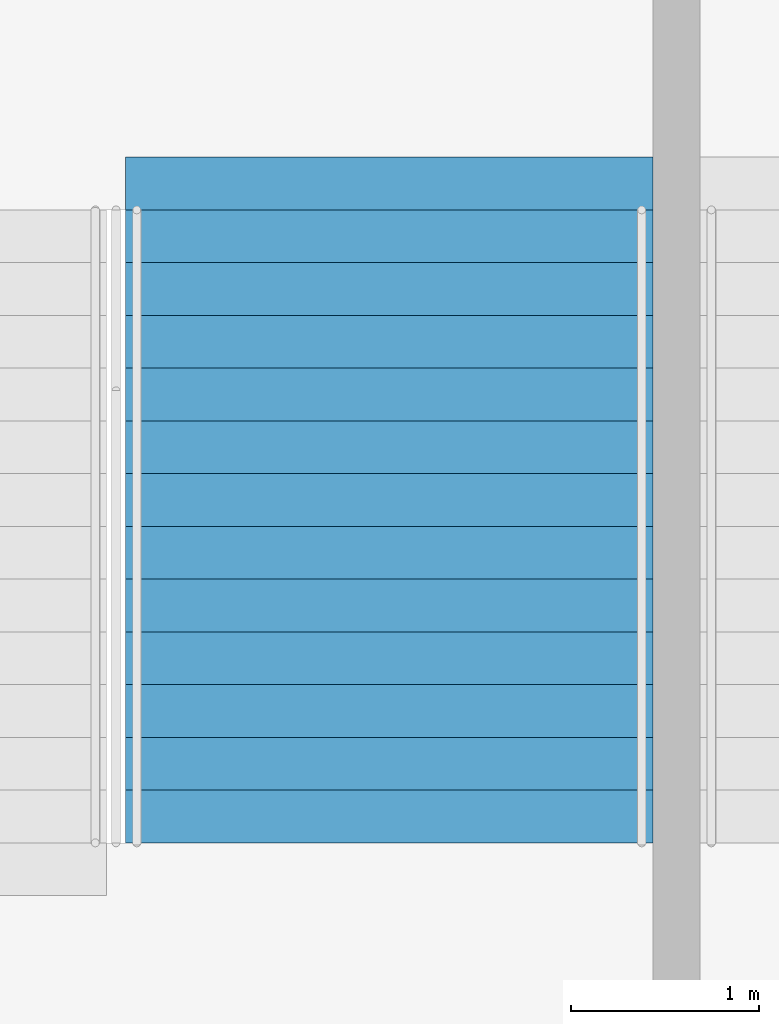
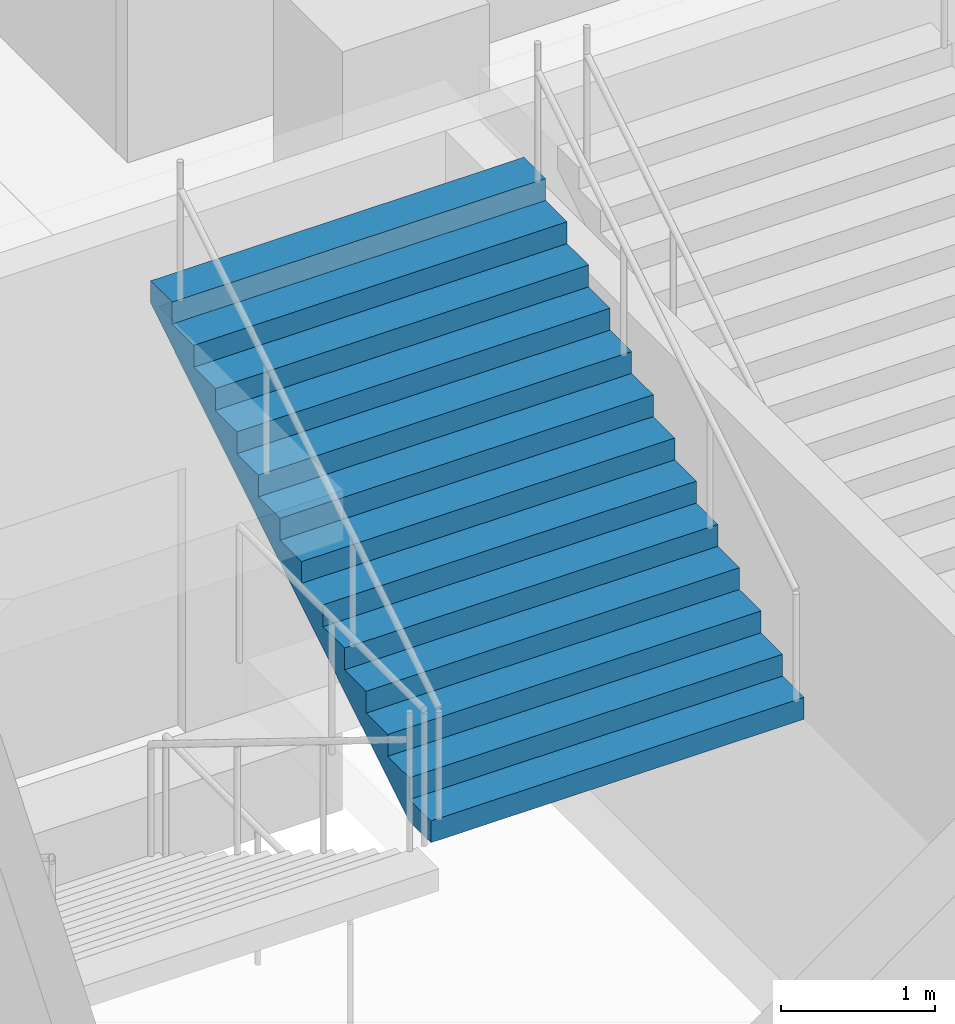
# One storey, part 109 of 199: 1 stair flight, 1 element without a shape of its own.
"""IFC4 building model written with IfcOpenShell, lengths in metres."""

from ifc_helpers import new_model, si_unit, direction, frame, origin, place, context, subcontext, project, spatial, faceted_brep, material, type_object, element, aggregate, save


model = new_model("IFC4")

# Units and contexts
model_context = context("Model", 3, precision=1e-05, world=origin(), true_north=direction((0.0, 1.0)))
body_context = subcontext(model_context, "Body", "Model", "MODEL_VIEW")
ifc_project = project(units=[si_unit("LENGTHUNIT", "METRE"), si_unit("AREAUNIT", "SQUARE_METRE"), si_unit("VOLUMEUNIT", "CUBIC_METRE"), si_unit("PLANEANGLEUNIT", "RADIAN"), si_unit("MASSUNIT", "GRAM", prefix="KILO")], contexts=[model_context])

# Site, building, storey
site_placement = place(None, origin())
site = spatial("IfcSite", under=ifc_project, at=site_placement, CompositionType="ELEMENT")
building_placement = place(site_placement, origin())
building = spatial("IfcBuilding", under=site, at=building_placement, Name="Ogive Plaza Stadium", CompositionType="ELEMENT")
storey_placement = place(building_placement, frame((0.0, 0.0, 9.0)))
storey = spatial("IfcBuildingStorey", under=building, at=storey_placement, Name="L02", CompositionType="ELEMENT", Elevation=9.0)

# Stair, stair flight
ifc_material_1 = material(Name="Concrete C40/50", Category="concrete")
stair_type = type_object("IfcStairType", Name="Exit stair", PredefinedType="STRAIGHT_RUN_STAIR", material=ifc_material_1)
stair_placement = place(storey_placement, origin())
stair = element("IfcStair", 1, at=stair_placement, inside=storey, type_object=stair_type, Name="Exit stair ST16A L02 to L03", PredefinedType="STRAIGHT_RUN_STAIR")
ifc_material_2 = material(Name="Concrete C40/50", Category="concrete")
stair_flight_type = type_object("IfcStairFlightType", Name="Exit stair flight", PredefinedType="STRAIGHT", material=ifc_material_2)
stair_flight_placement = place(storey_placement, frame((-21.925048828125, -98.2099609375, 2.25), z_axis=(0.0, 0.0, 1.0), x_axis=(0.0, 1.0, 0.0)))
stair_flight = element("IfcStairFlight", 2, at=stair_flight_placement, type_object=stair_flight_type, Name="ST16A flight 2", NumberOfRisers=13, NumberOfTreads=12, PredefinedType="STRAIGHT", RiserHeight=0.173076923, TreadLength=0.28, context=body_context, shape_type="Brep", body=[
    faceted_brep([(0.28515625, -1.39990234375, 0.0), (3.639892578125, -1.39990234375, 2.07373046875), (3.639892578125, -1.39990234375, 2.25), (3.360107421875, -1.39990234375, 2.25), (3.360107421875, -1.39990234375, 2.076904296875), (3.080078125, -1.39990234375, 2.076904296875), (3.080078125, -1.39990234375, 1.90380859375), (2.800048828125, -1.39990234375, 1.90380859375), (2.800048828125, -1.39990234375, 1.730712890625), (2.52001953125, -1.39990234375, 1.730712890625), (2.52001953125, -1.39990234375, 1.5576171875), (2.239990234375, -1.39990234375, 1.5576171875), (2.239990234375, -1.39990234375, 1.384521484375), (1.9599609375, -1.39990234375, 1.384521484375), (1.9599609375, -1.39990234375, 1.21142578125), (1.679931640625, -1.39990234375, 1.21142578125), (1.679931640625, -1.39990234375, 1.03857421875), (1.39990234375, -1.39990234375, 1.03857421875), (1.39990234375, -1.39990234375, 0.865478515625), (1.1201171875, -1.39990234375, 0.865478515625), (1.1201171875, -1.39990234375, 0.6923828125), (0.840087890625, -1.39990234375, 0.6923828125), (0.840087890625, -1.39990234375, 0.519287109375), (0.56005859375, -1.39990234375, 0.519287109375), (0.56005859375, -1.39990234375, 0.34619140625), (0.280029296875, -1.39990234375, 0.34619140625), (0.280029296875, -1.39990234375, 0.173095703125), (0.0, -1.39990234375, 0.173095703125), (0.0, -1.39990234375, 0.0), (0.0, 1.39990234375, 0.0), (0.0, 1.39990234375, 0.173095703125), (0.280029296875, 1.39990234375, 0.173095703125), (0.280029296875, 1.39990234375, 0.34619140625), (0.56005859375, 1.39990234375, 0.34619140625), (0.56005859375, 1.39990234375, 0.519287109375), (0.840087890625, 1.39990234375, 0.519287109375), (0.840087890625, 1.39990234375, 0.6923828125), (1.1201171875, 1.39990234375, 0.6923828125), (1.1201171875, 1.39990234375, 0.865478515625), (1.39990234375, 1.39990234375, 0.865478515625), (1.39990234375, 1.39990234375, 1.03857421875), (1.679931640625, 1.39990234375, 1.03857421875), (1.679931640625, 1.39990234375, 1.21142578125), (1.9599609375, 1.39990234375, 1.21142578125), (1.9599609375, 1.39990234375, 1.384521484375), (2.239990234375, 1.39990234375, 1.384521484375), (2.239990234375, 1.39990234375, 1.5576171875), (2.52001953125, 1.39990234375, 1.5576171875), (2.52001953125, 1.39990234375, 1.730712890625), (2.800048828125, 1.39990234375, 1.730712890625), (2.800048828125, 1.39990234375, 1.90380859375), (3.080078125, 1.39990234375, 1.90380859375), (3.080078125, 1.39990234375, 2.076904296875), (3.360107421875, 1.39990234375, 2.076904296875), (3.360107421875, 1.39990234375, 2.25), (3.639892578125, 1.39990234375, 2.25), (3.639892578125, 1.39990234375, 2.07373046875), (0.28515625, 1.39990234375, 0.0), (0.28515625, -1.0888671875, 0.0), (3.639892578125, -1.0888671875, 2.07373046875), (0.28515625, -0.77783203125, 0.0), (3.639892578125, -0.77783203125, 2.07373046875), (0.28515625, -0.466796875, 0.0), (3.639892578125, -0.466796875, 2.07373046875), (0.28515625, -0.155517578125, 0.0), (3.639892578125, -0.155517578125, 2.07373046875), (0.28515625, 0.155517578125, 0.0), (3.639892578125, 0.155517578125, 2.07373046875), (0.28515625, 0.466796875, 0.0), (3.639892578125, 0.466796875, 2.07373046875), (0.28515625, 0.77783203125, 0.0), (3.639892578125, 0.77783203125, 2.07373046875), (0.28515625, 1.0888671875, 0.0), (3.639892578125, 1.0888671875, 2.07373046875), (3.639892578125, -1.0888671875, 2.25), (3.639892578125, -0.77783203125, 2.25), (3.639892578125, -0.466796875, 2.25), (3.639892578125, -0.155517578125, 2.25), (3.639892578125, 0.155517578125, 2.25), (3.639892578125, 0.466796875, 2.25), (3.639892578125, 0.77783203125, 2.25), (3.639892578125, 1.0888671875, 2.25), (3.360107421875, -1.0888671875, 2.25), (3.360107421875, -0.77783203125, 2.25), (3.360107421875, -0.466796875, 2.25), (3.360107421875, -0.155517578125, 2.25), (3.360107421875, 0.155517578125, 2.25), (3.360107421875, 0.466796875, 2.25), (3.360107421875, 0.77783203125, 2.25), (3.360107421875, 1.0888671875, 2.25), (3.360107421875, -1.0888671875, 2.076904296875), (3.360107421875, -0.77783203125, 2.076904296875), (3.360107421875, -0.466796875, 2.076904296875), (3.360107421875, -0.155517578125, 2.076904296875), (3.360107421875, 0.155517578125, 2.076904296875), (3.360107421875, 0.466796875, 2.076904296875), (3.360107421875, 0.77783203125, 2.076904296875), (3.360107421875, 1.0888671875, 2.076904296875), (3.080078125, -1.0888671875, 2.076904296875), (3.080078125, -0.77783203125, 2.076904296875), (3.080078125, -0.466796875, 2.076904296875), (3.080078125, -0.155517578125, 2.076904296875), (3.080078125, 0.155517578125, 2.076904296875), (3.080078125, 0.466796875, 2.076904296875), (3.080078125, 0.77783203125, 2.076904296875), (3.080078125, 1.0888671875, 2.076904296875), (3.080078125, -1.0888671875, 1.90380859375), (3.080078125, -0.77783203125, 1.90380859375), (3.080078125, -0.466796875, 1.90380859375), (3.080078125, -0.155517578125, 1.90380859375), (3.080078125, 0.155517578125, 1.90380859375), (3.080078125, 0.466796875, 1.90380859375), (3.080078125, 0.77783203125, 1.90380859375), (3.080078125, 1.0888671875, 1.90380859375), (2.800048828125, -1.0888671875, 1.90380859375), (2.800048828125, -0.77783203125, 1.90380859375), (2.800048828125, -0.466796875, 1.90380859375), (2.800048828125, -0.155517578125, 1.90380859375), (2.800048828125, 0.155517578125, 1.90380859375), (2.800048828125, 0.466796875, 1.90380859375), (2.800048828125, 0.77783203125, 1.90380859375), (2.800048828125, 1.0888671875, 1.90380859375), (2.800048828125, -1.0888671875, 1.730712890625), (2.800048828125, -0.77783203125, 1.730712890625), (2.800048828125, -0.466796875, 1.730712890625), (2.800048828125, -0.155517578125, 1.730712890625), (2.800048828125, 0.155517578125, 1.730712890625), (2.800048828125, 0.466796875, 1.730712890625), (2.800048828125, 0.77783203125, 1.730712890625), (2.800048828125, 1.0888671875, 1.730712890625), (2.52001953125, -1.0888671875, 1.730712890625), (2.52001953125, -0.77783203125, 1.730712890625), (2.52001953125, -0.466796875, 1.730712890625), (2.52001953125, -0.155517578125, 1.730712890625), (2.52001953125, 0.155517578125, 1.730712890625), (2.52001953125, 0.466796875, 1.730712890625), (2.52001953125, 0.77783203125, 1.730712890625), (2.52001953125, 1.0888671875, 1.730712890625), (2.52001953125, -1.0888671875, 1.5576171875), (2.52001953125, -0.77783203125, 1.5576171875), (2.52001953125, -0.466796875, 1.5576171875), (2.52001953125, -0.155517578125, 1.5576171875), (2.52001953125, 0.155517578125, 1.5576171875), (2.52001953125, 0.466796875, 1.5576171875), (2.52001953125, 0.77783203125, 1.5576171875), (2.52001953125, 1.0888671875, 1.5576171875), (2.239990234375, -1.0888671875, 1.5576171875), (2.239990234375, -0.77783203125, 1.5576171875), (2.239990234375, -0.466796875, 1.5576171875), (2.239990234375, -0.155517578125, 1.5576171875), (2.239990234375, 0.155517578125, 1.5576171875), (2.239990234375, 0.466796875, 1.5576171875), (2.239990234375, 0.77783203125, 1.5576171875), (2.239990234375, 1.0888671875, 1.5576171875), (2.239990234375, -1.0888671875, 1.384521484375), (2.239990234375, -0.77783203125, 1.384521484375), (2.239990234375, -0.466796875, 1.384521484375), (2.239990234375, -0.155517578125, 1.384521484375), (2.239990234375, 0.155517578125, 1.384521484375), (2.239990234375, 0.466796875, 1.384521484375), (2.239990234375, 0.77783203125, 1.384521484375), (2.239990234375, 1.0888671875, 1.384521484375), (1.9599609375, -1.0888671875, 1.384521484375), (1.9599609375, -0.77783203125, 1.384521484375), (1.9599609375, -0.466796875, 1.384521484375), (1.9599609375, -0.155517578125, 1.384521484375), (1.9599609375, 0.155517578125, 1.384521484375), (1.9599609375, 0.466796875, 1.384521484375), (1.9599609375, 0.77783203125, 1.384521484375), (1.9599609375, 1.0888671875, 1.384521484375), (1.9599609375, -1.0888671875, 1.21142578125), (1.9599609375, -0.77783203125, 1.21142578125), (1.9599609375, -0.466796875, 1.21142578125), (1.9599609375, -0.155517578125, 1.21142578125), (1.9599609375, 0.155517578125, 1.21142578125), (1.9599609375, 0.466796875, 1.21142578125), (1.9599609375, 0.77783203125, 1.21142578125), (1.9599609375, 1.0888671875, 1.21142578125), (1.679931640625, -1.0888671875, 1.21142578125), (1.679931640625, -0.77783203125, 1.21142578125), (1.679931640625, -0.466796875, 1.21142578125), (1.679931640625, -0.155517578125, 1.21142578125), (1.679931640625, 0.155517578125, 1.21142578125), (1.679931640625, 0.466796875, 1.21142578125), (1.679931640625, 0.77783203125, 1.21142578125), (1.679931640625, 1.0888671875, 1.21142578125), (1.679931640625, -1.0888671875, 1.03857421875), (1.679931640625, -0.77783203125, 1.03857421875), (1.679931640625, -0.466796875, 1.03857421875), (1.679931640625, -0.155517578125, 1.03857421875), (1.679931640625, 0.155517578125, 1.03857421875), (1.679931640625, 0.466796875, 1.03857421875), (1.679931640625, 0.77783203125, 1.03857421875), (1.679931640625, 1.0888671875, 1.03857421875), (1.39990234375, -1.0888671875, 1.03857421875), (1.39990234375, -0.77783203125, 1.03857421875), (1.39990234375, -0.466796875, 1.03857421875), (1.39990234375, -0.155517578125, 1.03857421875), (1.39990234375, 0.155517578125, 1.03857421875), (1.39990234375, 0.466796875, 1.03857421875), (1.39990234375, 0.77783203125, 1.03857421875), (1.39990234375, 1.0888671875, 1.03857421875), (1.39990234375, -1.0888671875, 0.865478515625), (1.39990234375, -0.77783203125, 0.865478515625), (1.39990234375, -0.466796875, 0.865478515625), (1.39990234375, -0.155517578125, 0.865478515625), (1.39990234375, 0.155517578125, 0.865478515625), (1.39990234375, 0.466796875, 0.865478515625), (1.39990234375, 0.77783203125, 0.865478515625), (1.39990234375, 1.0888671875, 0.865478515625), (1.1201171875, -1.0888671875, 0.865478515625), (1.1201171875, -0.77783203125, 0.865478515625), (1.1201171875, -0.466796875, 0.865478515625), (1.1201171875, -0.155517578125, 0.865478515625), (1.1201171875, 0.155517578125, 0.865478515625), (1.1201171875, 0.466796875, 0.865478515625), (1.1201171875, 0.77783203125, 0.865478515625), (1.1201171875, 1.0888671875, 0.865478515625), (1.1201171875, -1.0888671875, 0.6923828125), (1.1201171875, -0.77783203125, 0.6923828125), (1.1201171875, -0.466796875, 0.6923828125), (1.1201171875, -0.155517578125, 0.6923828125), (1.1201171875, 0.155517578125, 0.6923828125), (1.1201171875, 0.466796875, 0.6923828125), (1.1201171875, 0.77783203125, 0.6923828125), (1.1201171875, 1.0888671875, 0.6923828125), (0.840087890625, -1.0888671875, 0.6923828125), (0.840087890625, -0.77783203125, 0.6923828125), (0.840087890625, -0.466796875, 0.6923828125), (0.840087890625, -0.155517578125, 0.6923828125), (0.840087890625, 0.155517578125, 0.6923828125), (0.840087890625, 0.466796875, 0.6923828125), (0.840087890625, 0.77783203125, 0.6923828125), (0.840087890625, 1.0888671875, 0.6923828125), (0.840087890625, -1.0888671875, 0.519287109375), (0.840087890625, -0.77783203125, 0.519287109375), (0.840087890625, -0.466796875, 0.519287109375), (0.840087890625, -0.155517578125, 0.519287109375), (0.840087890625, 0.155517578125, 0.519287109375), (0.840087890625, 0.466796875, 0.519287109375), (0.840087890625, 0.77783203125, 0.519287109375), (0.840087890625, 1.0888671875, 0.519287109375), (0.56005859375, -1.0888671875, 0.519287109375), (0.56005859375, -0.77783203125, 0.519287109375), (0.56005859375, -0.466796875, 0.519287109375), (0.56005859375, -0.155517578125, 0.519287109375), (0.56005859375, 0.155517578125, 0.519287109375), (0.56005859375, 0.466796875, 0.519287109375), (0.56005859375, 0.77783203125, 0.519287109375), (0.56005859375, 1.0888671875, 0.519287109375), (0.56005859375, -1.0888671875, 0.34619140625), (0.56005859375, -0.77783203125, 0.34619140625), (0.56005859375, -0.466796875, 0.34619140625), (0.56005859375, -0.155517578125, 0.34619140625), (0.56005859375, 0.155517578125, 0.34619140625), (0.56005859375, 0.466796875, 0.34619140625), (0.56005859375, 0.77783203125, 0.34619140625), (0.56005859375, 1.0888671875, 0.34619140625), (0.280029296875, -1.0888671875, 0.34619140625), (0.280029296875, -0.77783203125, 0.34619140625), (0.280029296875, -0.466796875, 0.34619140625), (0.280029296875, -0.155517578125, 0.34619140625), (0.280029296875, 0.155517578125, 0.34619140625), (0.280029296875, 0.466796875, 0.34619140625), (0.280029296875, 0.77783203125, 0.34619140625), (0.280029296875, 1.0888671875, 0.34619140625), (0.280029296875, -1.0888671875, 0.173095703125), (0.280029296875, -0.77783203125, 0.173095703125), (0.280029296875, -0.466796875, 0.173095703125), (0.280029296875, -0.155517578125, 0.173095703125), (0.280029296875, 0.155517578125, 0.173095703125), (0.280029296875, 0.466796875, 0.173095703125), (0.280029296875, 0.77783203125, 0.173095703125), (0.280029296875, 1.0888671875, 0.173095703125), (0.0, -1.0888671875, 0.173095703125), (0.0, -0.77783203125, 0.173095703125), (0.0, -0.466796875, 0.173095703125), (0.0, -0.155517578125, 0.173095703125), (0.0, 0.155517578125, 0.173095703125), (0.0, 0.466796875, 0.173095703125), (0.0, 0.77783203125, 0.173095703125), (0.0, 1.0888671875, 0.173095703125), (0.0, -1.0888671875, 0.0), (0.0, -0.77783203125, 0.0), (0.0, -0.466796875, 0.0), (0.0, -0.155517578125, 0.0), (0.0, 0.155517578125, 0.0), (0.0, 0.466796875, 0.0), (0.0, 0.77783203125, 0.0), (0.0, 1.0888671875, 0.0)], [[[0, 1, 2, 3, 4, 5, 6, 7, 8, 9, 10, 11, 12, 13, 14, 15, 16, 17, 18, 19, 20, 21, 22, 23, 24, 25, 26, 27, 28]], [[29, 30, 31, 32, 33, 34, 35, 36, 37, 38, 39, 40, 41, 42, 43, 44, 45, 46, 47, 48, 49, 50, 51, 52, 53, 54, 55, 56, 57]], [[0, 58, 59, 1]], [[58, 60, 61, 59]], [[60, 62, 63, 61]], [[62, 64, 65, 63]], [[64, 66, 67, 65]], [[66, 68, 69, 67]], [[68, 70, 71, 69]], [[70, 72, 73, 71]], [[72, 57, 56, 73]], [[1, 59, 74, 2]], [[59, 61, 75, 74]], [[61, 63, 76, 75]], [[63, 65, 77, 76]], [[65, 67, 78, 77]], [[67, 69, 79, 78]], [[69, 71, 80, 79]], [[71, 73, 81, 80]], [[73, 56, 55, 81]], [[2, 74, 82, 3]], [[74, 75, 83, 82]], [[75, 76, 84, 83]], [[76, 77, 85, 84]], [[77, 78, 86, 85]], [[78, 79, 87, 86]], [[79, 80, 88, 87]], [[80, 81, 89, 88]], [[81, 55, 54, 89]], [[3, 82, 90, 4]], [[82, 83, 91, 90]], [[83, 84, 92, 91]], [[84, 85, 93, 92]], [[85, 86, 94, 93]], [[86, 87, 95, 94]], [[87, 88, 96, 95]], [[88, 89, 97, 96]], [[89, 54, 53, 97]], [[4, 90, 98, 5]], [[90, 91, 99, 98]], [[91, 92, 100, 99]], [[92, 93, 101, 100]], [[93, 94, 102, 101]], [[94, 95, 103, 102]], [[95, 96, 104, 103]], [[96, 97, 105, 104]], [[97, 53, 52, 105]], [[5, 98, 106, 6]], [[98, 99, 107, 106]], [[99, 100, 108, 107]], [[100, 101, 109, 108]], [[101, 102, 110, 109]], [[102, 103, 111, 110]], [[103, 104, 112, 111]], [[104, 105, 113, 112]], [[105, 52, 51, 113]], [[6, 106, 114, 7]], [[106, 107, 115, 114]], [[107, 108, 116, 115]], [[108, 109, 117, 116]], [[109, 110, 118, 117]], [[110, 111, 119, 118]], [[111, 112, 120, 119]], [[112, 113, 121, 120]], [[113, 51, 50, 121]], [[7, 114, 122, 8]], [[114, 115, 123, 122]], [[115, 116, 124, 123]], [[116, 117, 125, 124]], [[117, 118, 126, 125]], [[118, 119, 127, 126]], [[119, 120, 128, 127]], [[120, 121, 129, 128]], [[121, 50, 49, 129]], [[8, 122, 130, 9]], [[122, 123, 131, 130]], [[123, 124, 132, 131]], [[124, 125, 133, 132]], [[125, 126, 134, 133]], [[126, 127, 135, 134]], [[127, 128, 136, 135]], [[128, 129, 137, 136]], [[129, 49, 48, 137]], [[9, 130, 138, 10]], [[130, 131, 139, 138]], [[131, 132, 140, 139]], [[132, 133, 141, 140]], [[133, 134, 142, 141]], [[134, 135, 143, 142]], [[135, 136, 144, 143]], [[136, 137, 145, 144]], [[137, 48, 47, 145]], [[10, 138, 146, 11]], [[138, 139, 147, 146]], [[139, 140, 148, 147]], [[140, 141, 149, 148]], [[141, 142, 150, 149]], [[142, 143, 151, 150]], [[143, 144, 152, 151]], [[144, 145, 153, 152]], [[145, 47, 46, 153]], [[11, 146, 154, 12]], [[146, 147, 155, 154]], [[147, 148, 156, 155]], [[148, 149, 157, 156]], [[149, 150, 158, 157]], [[150, 151, 159, 158]], [[151, 152, 160, 159]], [[152, 153, 161, 160]], [[153, 46, 45, 161]], [[12, 154, 162, 13]], [[154, 155, 163, 162]], [[155, 156, 164, 163]], [[156, 157, 165, 164]], [[157, 158, 166, 165]], [[158, 159, 167, 166]], [[159, 160, 168, 167]], [[160, 161, 169, 168]], [[161, 45, 44, 169]], [[13, 162, 170, 14]], [[162, 163, 171, 170]], [[163, 164, 172, 171]], [[164, 165, 173, 172]], [[165, 166, 174, 173]], [[166, 167, 175, 174]], [[167, 168, 176, 175]], [[168, 169, 177, 176]], [[169, 44, 43, 177]], [[14, 170, 178, 15]], [[170, 171, 179, 178]], [[171, 172, 180, 179]], [[172, 173, 181, 180]], [[173, 174, 182, 181]], [[174, 175, 183, 182]], [[175, 176, 184, 183]], [[176, 177, 185, 184]], [[177, 43, 42, 185]], [[15, 178, 186, 16]], [[178, 179, 187, 186]], [[179, 180, 188, 187]], [[180, 181, 189, 188]], [[181, 182, 190, 189]], [[182, 183, 191, 190]], [[183, 184, 192, 191]], [[184, 185, 193, 192]], [[185, 42, 41, 193]], [[16, 186, 194, 17]], [[186, 187, 195, 194]], [[187, 188, 196, 195]], [[188, 189, 197, 196]], [[189, 190, 198, 197]], [[190, 191, 199, 198]], [[191, 192, 200, 199]], [[192, 193, 201, 200]], [[193, 41, 40, 201]], [[17, 194, 202, 18]], [[194, 195, 203, 202]], [[195, 196, 204, 203]], [[196, 197, 205, 204]], [[197, 198, 206, 205]], [[198, 199, 207, 206]], [[199, 200, 208, 207]], [[200, 201, 209, 208]], [[201, 40, 39, 209]], [[18, 202, 210, 19]], [[202, 203, 211, 210]], [[203, 204, 212, 211]], [[204, 205, 213, 212]], [[205, 206, 214, 213]], [[206, 207, 215, 214]], [[207, 208, 216, 215]], [[208, 209, 217, 216]], [[209, 39, 38, 217]], [[19, 210, 218, 20]], [[210, 211, 219, 218]], [[211, 212, 220, 219]], [[212, 213, 221, 220]], [[213, 214, 222, 221]], [[214, 215, 223, 222]], [[215, 216, 224, 223]], [[216, 217, 225, 224]], [[217, 38, 37, 225]], [[20, 218, 226, 21]], [[218, 219, 227, 226]], [[219, 220, 228, 227]], [[220, 221, 229, 228]], [[221, 222, 230, 229]], [[222, 223, 231, 230]], [[223, 224, 232, 231]], [[224, 225, 233, 232]], [[225, 37, 36, 233]], [[21, 226, 234, 22]], [[226, 227, 235, 234]], [[227, 228, 236, 235]], [[228, 229, 237, 236]], [[229, 230, 238, 237]], [[230, 231, 239, 238]], [[231, 232, 240, 239]], [[232, 233, 241, 240]], [[233, 36, 35, 241]], [[22, 234, 242, 23]], [[234, 235, 243, 242]], [[235, 236, 244, 243]], [[236, 237, 245, 244]], [[237, 238, 246, 245]], [[238, 239, 247, 246]], [[239, 240, 248, 247]], [[240, 241, 249, 248]], [[241, 35, 34, 249]], [[23, 242, 250, 24]], [[242, 243, 251, 250]], [[243, 244, 252, 251]], [[244, 245, 253, 252]], [[245, 246, 254, 253]], [[246, 247, 255, 254]], [[247, 248, 256, 255]], [[248, 249, 257, 256]], [[249, 34, 33, 257]], [[24, 250, 258, 25]], [[250, 251, 259, 258]], [[251, 252, 260, 259]], [[252, 253, 261, 260]], [[253, 254, 262, 261]], [[254, 255, 263, 262]], [[255, 256, 264, 263]], [[256, 257, 265, 264]], [[257, 33, 32, 265]], [[25, 258, 266, 26]], [[258, 259, 267, 266]], [[259, 260, 268, 267]], [[260, 261, 269, 268]], [[261, 262, 270, 269]], [[262, 263, 271, 270]], [[263, 264, 272, 271]], [[264, 265, 273, 272]], [[265, 32, 31, 273]], [[26, 266, 274, 27]], [[266, 267, 275, 274]], [[267, 268, 276, 275]], [[268, 269, 277, 276]], [[269, 270, 278, 277]], [[270, 271, 279, 278]], [[271, 272, 280, 279]], [[272, 273, 281, 280]], [[273, 31, 30, 281]], [[27, 274, 282, 28]], [[274, 275, 283, 282]], [[275, 276, 284, 283]], [[276, 277, 285, 284]], [[277, 278, 286, 285]], [[278, 279, 287, 286]], [[279, 280, 288, 287]], [[280, 281, 289, 288]], [[281, 30, 29, 289]], [[28, 282, 58, 0]], [[282, 283, 60, 58]], [[283, 284, 62, 60]], [[284, 285, 64, 62]], [[285, 286, 66, 64]], [[286, 287, 68, 66]], [[287, 288, 70, 68]], [[288, 289, 72, 70]], [[289, 29, 57, 72]]]),
])
aggregate(stair, [stair_flight])

save(model, "model.ifc")
